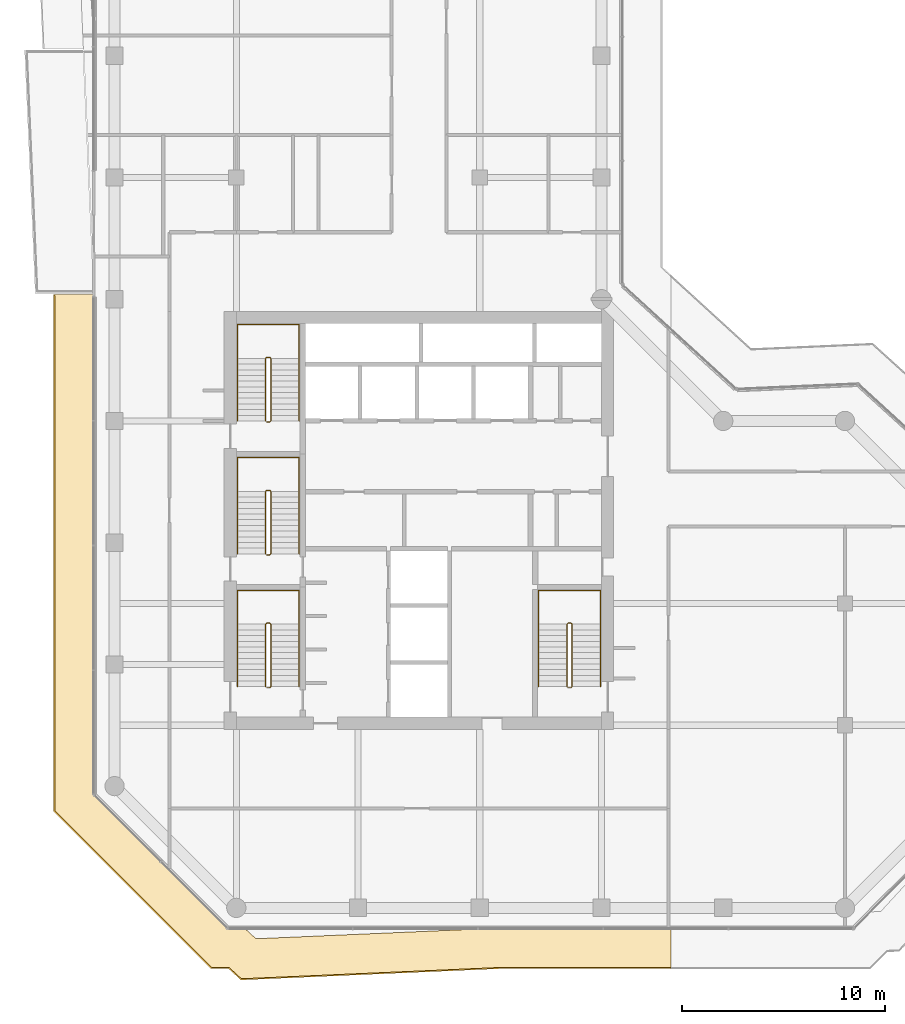
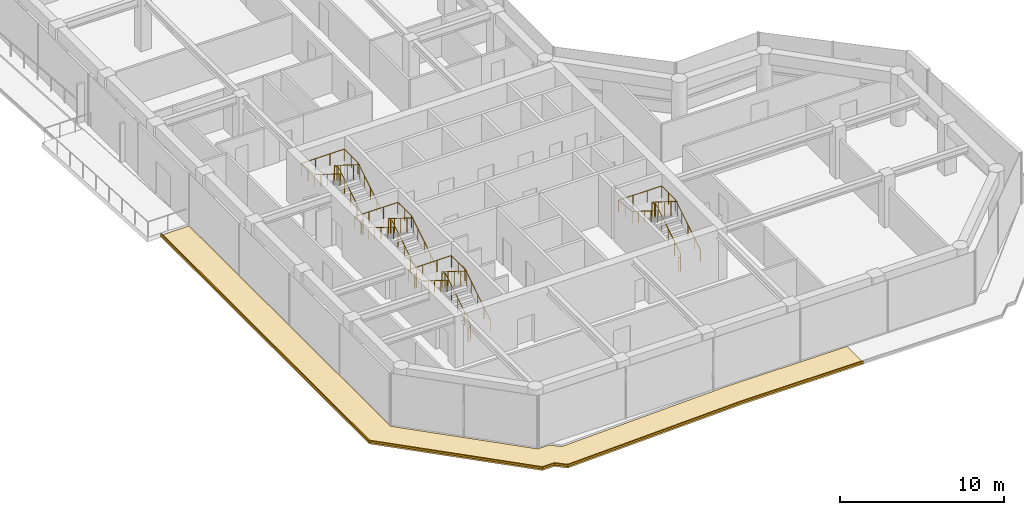
# One storey, part 20 of 21: 8 railings, 2 coverings.
"""IFC4 building model written with IfcOpenShell, lengths in metres."""

from ifc_helpers import new_model, si_unit, direction, frame, origin, origin_2d, place, context, subcontext, project, spatial, polyline, circle, outline, extrude, material, layer, layer_set, type_object, element, save


model = new_model("IFC4")

# Units and contexts
model_context = context("Model", 3, precision=1e-05, world=origin(), true_north=direction((0.0, 1.0)))
body_context = subcontext(model_context, "Body", "Model", "MODEL_VIEW")
ifc_project = project(units=[si_unit("LENGTHUNIT", "METRE"), si_unit("AREAUNIT", "SQUARE_METRE"), si_unit("VOLUMEUNIT", "CUBIC_METRE"), si_unit("PLANEANGLEUNIT", "RADIAN"), si_unit("MASSUNIT", "GRAM", prefix="KILO")], contexts=[model_context])

# Site, building, storey
site_placement = place(None, origin())
site = spatial("IfcSite", under=ifc_project, at=site_placement, CompositionType="ELEMENT")
building_placement = place(site_placement, origin())
building = spatial("IfcBuilding", under=site, at=building_placement, Name="Welwitschia Terrace Campus", CompositionType="ELEMENT")
storey_placement = place(building_placement, frame((0.0, 0.0, 180.199951171875)))
storey = spatial("IfcBuildingStorey", under=building, at=storey_placement, Name="L40", CompositionType="ELEMENT", Elevation=180.199951171875)

# Railings
ifc_material_1 = material(Name="Steel S355", Category="steel")
railing_type_1 = type_object("IfcRailingType", Name="Stair guard 1100", PredefinedType="GUARDRAIL", material=ifc_material_1)
railing_1_placement = place(storey_placement, frame((7.5, 6.85009765625, 0.0)))
element("IfcRailing", 1, at=railing_1_placement, inside=storey, type_object=railing_type_1, Name="L40 S1 stair guard", PredefinedType="GUARDRAIL", context=body_context, shape_type="SweptSolid", body=[
    extrude(circle(Radius=0.02392578125, at=origin_2d()), frame((0.0, 0.0, 1.076171875), z_axis=(1.0, 0.0, 0.0), x_axis=(0.0, 1.0, 0.0)), (0.0, 0.0, 1.0), 0.14990234375),
    extrude(circle(Radius=0.02392578125, at=origin_2d()), frame((0.14990234375, 0.0, 1.076171875), z_axis=(0.265155923931, 0.263862480399, 0.927399011991), x_axis=(-0.705375805398, 0.708833529934, 0.0)), (0.0, 0.0, 1.0), 0.188720703125),
    extrude(circle(Radius=0.02392578125, at=origin_2d()), frame((0.199951171875, 0.0498046875, 1.2509765625), z_axis=(0.0, 0.847998304005, 0.529998940003), x_axis=(-1.0, 0.0, 0.0)), (0.0, 0.0, 1.0), 3.632080078125),
    extrude(circle(Radius=0.02392578125, at=origin_2d()), frame((0.199951171875, 3.1298828125, 3.17626953125), z_axis=(-0.707106781187, 0.707106781187, 0.0), x_axis=(-0.707106781187, -0.707106781187, 0.0)), (0.0, 0.0, 1.0), 0.07080078125),
    extrude(circle(Radius=0.02392578125, at=origin_2d()), frame((0.14990234375, 3.179931640625, 3.17626953125), z_axis=(-1.0, 0.0, 0.0), x_axis=(0.0, -1.0, 0.0)), (0.0, 0.0, 1.0), 0.14990234375),
    extrude(circle(Radius=0.02392578125, at=origin_2d()), frame((0.0, 3.179931640625, 3.17626953125), z_axis=(-0.265065253269, -0.265065253269, 0.927081885822), x_axis=(0.707106781187, -0.707106781187, 0.0)), (0.0, 0.0, 1.0), 0.188720703125),
    extrude(circle(Radius=0.02392578125, at=origin_2d()), frame((-0.050048828125, 3.1298828125, 3.35107421875), z_axis=(0.0, -0.848028513186, 0.529950602248), x_axis=(1.0, 0.0, 0.0)), (0.0, 0.0, 1.0), 3.632080078125),
    extrude(circle(Radius=0.02099609375, at=origin_2d()), origin(), (0.0, 0.0, 1.0), 1.052001953125),
    extrude(circle(Radius=0.02099609375, at=origin_2d()), frame((0.14990234375, 0.0, 0.0)), (0.0, 0.0, 1.0), 1.052001953125),
    extrude(circle(Radius=0.02099609375, at=origin_2d()), frame((0.199951171875, 0.0498046875, 0.175048828125)), (0.0, 0.0, 1.0), 1.052001953125),
    extrude(circle(Radius=0.02099609375, at=origin_2d()), frame((0.199951171875, 0.81982421875, 0.65625)), (0.0, 0.0, 1.0), 1.052001953125),
    extrude(circle(Radius=0.02099609375, at=origin_2d()), frame((0.199951171875, 1.58984375, 1.1376953125)), (0.0, 0.0, 1.0), 1.052001953125),
    extrude(circle(Radius=0.02099609375, at=origin_2d()), frame((0.199951171875, 2.35986328125, 1.618896484375)), (0.0, 0.0, 1.0), 1.052001953125),
    extrude(circle(Radius=0.02099609375, at=origin_2d()), frame((0.199951171875, 3.1298828125, 2.10009765625)), (0.0, 0.0, 1.0), 1.052001953125),
    extrude(circle(Radius=0.02099609375, at=origin_2d()), frame((0.14990234375, 3.179931640625, 2.10009765625)), (0.0, 0.0, 1.0), 1.052001953125),
    extrude(circle(Radius=0.02099609375, at=origin_2d()), frame((0.0, 3.179931640625, 2.10009765625)), (0.0, 0.0, 1.0), 1.052001953125),
    extrude(circle(Radius=0.02099609375, at=origin_2d()), frame((-0.050048828125, 3.1298828125, 2.275146484375)), (0.0, 0.0, 1.0), 1.052001953125),
    extrude(circle(Radius=0.02099609375, at=origin_2d()), frame((-0.050048828125, 2.35986328125, 2.75634765625)), (0.0, 0.0, 1.0), 1.052001953125),
    extrude(circle(Radius=0.02099609375, at=origin_2d()), frame((-0.050048828125, 1.58984375, 3.237548828125)), (0.0, 0.0, 1.0), 1.052001953125),
    extrude(circle(Radius=0.02099609375, at=origin_2d()), frame((-0.050048828125, 0.81982421875, 3.71875)), (0.0, 0.0, 1.0), 1.052001953125),
    extrude(circle(Radius=0.02099609375, at=origin_2d()), frame((-0.050048828125, 0.0498046875, 4.199951171875)), (0.0, 0.0, 1.0), 1.052001953125),
])
railing_2_placement = place(storey_placement, frame((7.5, 13.39990234375, 0.0)))
element("IfcRailing", 2, at=railing_2_placement, inside=storey, type_object=railing_type_1, Name="L40 S3 stair guard", PredefinedType="GUARDRAIL", context=body_context, shape_type="SweptSolid", body=[
    extrude(circle(Radius=0.02392578125, at=origin_2d()), frame((0.0, 0.0, 1.076171875), z_axis=(1.0, 0.0, 0.0), x_axis=(0.0, 1.0, 0.0)), (0.0, 0.0, 1.0), 0.14990234375),
    extrude(circle(Radius=0.02392578125, at=origin_2d()), frame((0.14990234375, 0.0, 1.076171875), z_axis=(0.265065253269, 0.265065253269, 0.927081885822), x_axis=(-0.707106781187, 0.707106781187, 0.0)), (0.0, 0.0, 1.0), 0.188720703125),
    extrude(circle(Radius=0.02392578125, at=origin_2d()), frame((0.199951171875, 0.050048828125, 1.2509765625), z_axis=(0.0, 0.847998304005, 0.529998940003), x_axis=(-1.0, 0.0, 0.0)), (0.0, 0.0, 1.0), 3.632080078125),
    extrude(circle(Radius=0.02392578125, at=origin_2d()), frame((0.199951171875, 3.130126953125, 3.17626953125), z_axis=(-0.707106781187, 0.707106781187, 0.0), x_axis=(-0.707106781187, -0.707106781187, 0.0)), (0.0, 0.0, 1.0), 0.07080078125),
    extrude(circle(Radius=0.02392578125, at=origin_2d()), frame((0.14990234375, 3.18017578125, 3.17626953125), z_axis=(-1.0, 0.0, 0.0), x_axis=(0.0, -1.0, 0.0)), (0.0, 0.0, 1.0), 0.14990234375),
    extrude(circle(Radius=0.02392578125, at=origin_2d()), frame((0.0, 3.18017578125, 3.17626953125), z_axis=(-0.265065253269, -0.265065253269, 0.927081885822), x_axis=(0.707106781187, -0.707106781187, 0.0)), (0.0, 0.0, 1.0), 0.188720703125),
    extrude(circle(Radius=0.02392578125, at=origin_2d()), frame((-0.050048828125, 3.130126953125, 3.35107421875), z_axis=(0.0, -0.848028513186, 0.529950602248), x_axis=(1.0, 0.0, 0.0)), (0.0, 0.0, 1.0), 3.632080078125),
    extrude(circle(Radius=0.02099609375, at=origin_2d()), origin(), (0.0, 0.0, 1.0), 1.052001953125),
    extrude(circle(Radius=0.02099609375, at=origin_2d()), frame((0.14990234375, 0.0, 0.0)), (0.0, 0.0, 1.0), 1.052001953125),
    extrude(circle(Radius=0.02099609375, at=origin_2d()), frame((0.199951171875, 0.050048828125, 0.175048828125)), (0.0, 0.0, 1.0), 1.052001953125),
    extrude(circle(Radius=0.02099609375, at=origin_2d()), frame((0.199951171875, 0.820068359375, 0.65625)), (0.0, 0.0, 1.0), 1.052001953125),
    extrude(circle(Radius=0.02099609375, at=origin_2d()), frame((0.199951171875, 1.590087890625, 1.1376953125)), (0.0, 0.0, 1.0), 1.052001953125),
    extrude(circle(Radius=0.02099609375, at=origin_2d()), frame((0.199951171875, 2.360107421875, 1.618896484375)), (0.0, 0.0, 1.0), 1.052001953125),
    extrude(circle(Radius=0.02099609375, at=origin_2d()), frame((0.199951171875, 3.130126953125, 2.10009765625)), (0.0, 0.0, 1.0), 1.052001953125),
    extrude(circle(Radius=0.02099609375, at=origin_2d()), frame((0.14990234375, 3.18017578125, 2.10009765625)), (0.0, 0.0, 1.0), 1.052001953125),
    extrude(circle(Radius=0.02099609375, at=origin_2d()), frame((0.0, 3.18017578125, 2.10009765625)), (0.0, 0.0, 1.0), 1.052001953125),
    extrude(circle(Radius=0.02099609375, at=origin_2d()), frame((-0.050048828125, 3.130126953125, 2.275146484375)), (0.0, 0.0, 1.0), 1.052001953125),
    extrude(circle(Radius=0.02099609375, at=origin_2d()), frame((-0.050048828125, 2.360107421875, 2.75634765625)), (0.0, 0.0, 1.0), 1.052001953125),
    extrude(circle(Radius=0.02099609375, at=origin_2d()), frame((-0.050048828125, 1.590087890625, 3.237548828125)), (0.0, 0.0, 1.0), 1.052001953125),
    extrude(circle(Radius=0.02099609375, at=origin_2d()), frame((-0.050048828125, 0.820068359375, 3.71875)), (0.0, 0.0, 1.0), 1.052001953125),
    extrude(circle(Radius=0.02099609375, at=origin_2d()), frame((-0.050048828125, 0.050048828125, 4.199951171875)), (0.0, 0.0, 1.0), 1.052001953125),
])
railing_3_placement = place(storey_placement, frame((7.5, 19.949951171875, 0.0)))
element("IfcRailing", 3, at=railing_3_placement, inside=storey, type_object=railing_type_1, Name="L40 S4 stair guard", PredefinedType="GUARDRAIL", context=body_context, shape_type="SweptSolid", body=[
    extrude(circle(Radius=0.02392578125, at=origin_2d()), frame((0.0, 0.0, 1.076171875), z_axis=(1.0, 0.0, 0.0), x_axis=(0.0, 1.0, 0.0)), (0.0, 0.0, 1.0), 0.14990234375),
    extrude(circle(Radius=0.02392578125, at=origin_2d()), frame((0.14990234375, 0.0, 1.076171875), z_axis=(0.265065253269, 0.265065253269, 0.927081885822), x_axis=(-0.707106781187, 0.707106781187, 0.0)), (0.0, 0.0, 1.0), 0.188720703125),
    extrude(circle(Radius=0.02392578125, at=origin_2d()), frame((0.199951171875, 0.050048828125, 1.2509765625), z_axis=(0.0, 0.847998304005, 0.529998940003), x_axis=(-1.0, 0.0, 0.0)), (0.0, 0.0, 1.0), 3.632080078125),
    extrude(circle(Radius=0.02392578125, at=origin_2d()), frame((0.199951171875, 3.130126953125, 3.17626953125), z_axis=(-0.708833529934, 0.705375805398, 0.0), x_axis=(-0.705375805398, -0.708833529934, 0.0)), (0.0, 0.0, 1.0), 0.070556640625),
    extrude(circle(Radius=0.02392578125, at=origin_2d()), frame((0.14990234375, 3.179931640625, 3.17626953125), z_axis=(-1.0, 0.0, 0.0), x_axis=(0.0, -1.0, 0.0)), (0.0, 0.0, 1.0), 0.14990234375),
    extrude(circle(Radius=0.02392578125, at=origin_2d()), frame((0.0, 3.179931640625, 3.17626953125), z_axis=(-0.265155923931, -0.263862480399, 0.927399011991), x_axis=(0.705375805398, -0.708833529934, 0.0)), (0.0, 0.0, 1.0), 0.188720703125),
    extrude(circle(Radius=0.02392578125, at=origin_2d()), frame((-0.050048828125, 3.130126953125, 3.35107421875), z_axis=(0.0, -0.848028513186, 0.529950602248), x_axis=(1.0, 0.0, 0.0)), (0.0, 0.0, 1.0), 3.632080078125),
    extrude(circle(Radius=0.02099609375, at=origin_2d()), origin(), (0.0, 0.0, 1.0), 1.052001953125),
    extrude(circle(Radius=0.02099609375, at=origin_2d()), frame((0.14990234375, 0.0, 0.0)), (0.0, 0.0, 1.0), 1.052001953125),
    extrude(circle(Radius=0.02099609375, at=origin_2d()), frame((0.199951171875, 0.050048828125, 0.175048828125)), (0.0, 0.0, 1.0), 1.052001953125),
    extrude(circle(Radius=0.02099609375, at=origin_2d()), frame((0.199951171875, 0.820068359375, 0.65625)), (0.0, 0.0, 1.0), 1.052001953125),
    extrude(circle(Radius=0.02099609375, at=origin_2d()), frame((0.199951171875, 1.590087890625, 1.1376953125)), (0.0, 0.0, 1.0), 1.052001953125),
    extrude(circle(Radius=0.02099609375, at=origin_2d()), frame((0.199951171875, 2.360107421875, 1.618896484375)), (0.0, 0.0, 1.0), 1.052001953125),
    extrude(circle(Radius=0.02099609375, at=origin_2d()), frame((0.199951171875, 3.130126953125, 2.10009765625)), (0.0, 0.0, 1.0), 1.052001953125),
    extrude(circle(Radius=0.02099609375, at=origin_2d()), frame((0.14990234375, 3.179931640625, 2.10009765625)), (0.0, 0.0, 1.0), 1.052001953125),
    extrude(circle(Radius=0.02099609375, at=origin_2d()), frame((0.0, 3.179931640625, 2.10009765625)), (0.0, 0.0, 1.0), 1.052001953125),
    extrude(circle(Radius=0.02099609375, at=origin_2d()), frame((-0.050048828125, 3.130126953125, 2.275146484375)), (0.0, 0.0, 1.0), 1.052001953125),
    extrude(circle(Radius=0.02099609375, at=origin_2d()), frame((-0.050048828125, 2.360107421875, 2.75634765625)), (0.0, 0.0, 1.0), 1.052001953125),
    extrude(circle(Radius=0.02099609375, at=origin_2d()), frame((-0.050048828125, 1.590087890625, 3.237548828125)), (0.0, 0.0, 1.0), 1.052001953125),
    extrude(circle(Radius=0.02099609375, at=origin_2d()), frame((-0.050048828125, 0.820068359375, 3.71875)), (0.0, 0.0, 1.0), 1.052001953125),
    extrude(circle(Radius=0.02099609375, at=origin_2d()), frame((-0.050048828125, 0.050048828125, 4.199951171875)), (0.0, 0.0, 1.0), 1.052001953125),
])
railing_4_placement = place(storey_placement, frame((22.35009765625, 6.85009765625, 0.0)))
element("IfcRailing", 4, at=railing_4_placement, inside=storey, type_object=railing_type_1, Name="L40 S2 stair guard", PredefinedType="GUARDRAIL", context=body_context, shape_type="SweptSolid", body=[
    extrude(circle(Radius=0.02392578125, at=origin_2d()), frame((0.0, 0.0, 1.076171875), z_axis=(1.0, 0.0, 0.0), x_axis=(0.0, 1.0, 0.0)), (0.0, 0.0, 1.0), 0.14990234375),
    extrude(circle(Radius=0.02392578125, at=origin_2d()), frame((0.14990234375, 0.0, 1.076171875), z_axis=(0.265155923931, 0.263862480399, 0.927399011991), x_axis=(-0.705375805398, 0.708833529934, 0.0)), (0.0, 0.0, 1.0), 0.188720703125),
    extrude(circle(Radius=0.02392578125, at=origin_2d()), frame((0.199951171875, 0.0498046875, 1.2509765625), z_axis=(0.0, 0.847998304005, 0.529998940003), x_axis=(-1.0, 0.0, 0.0)), (0.0, 0.0, 1.0), 3.632080078125),
    extrude(circle(Radius=0.02392578125, at=origin_2d()), frame((0.199951171875, 3.1298828125, 3.17626953125), z_axis=(-0.707106781187, 0.707106781187, 0.0), x_axis=(-0.707106781187, -0.707106781187, 0.0)), (0.0, 0.0, 1.0), 0.07080078125),
    extrude(circle(Radius=0.02392578125, at=origin_2d()), frame((0.14990234375, 3.179931640625, 3.17626953125), z_axis=(-1.0, 0.0, 0.0), x_axis=(0.0, -1.0, 0.0)), (0.0, 0.0, 1.0), 0.14990234375),
    extrude(circle(Radius=0.02392578125, at=origin_2d()), frame((0.0, 3.179931640625, 3.17626953125), z_axis=(-0.265065253269, -0.265065253269, 0.927081885822), x_axis=(0.707106781187, -0.707106781187, 0.0)), (0.0, 0.0, 1.0), 0.188720703125),
    extrude(circle(Radius=0.02392578125, at=origin_2d()), frame((-0.050048828125, 3.1298828125, 3.35107421875), z_axis=(0.0, -0.848028513186, 0.529950602248), x_axis=(1.0, 0.0, 0.0)), (0.0, 0.0, 1.0), 3.632080078125),
    extrude(circle(Radius=0.02099609375, at=origin_2d()), origin(), (0.0, 0.0, 1.0), 1.052001953125),
    extrude(circle(Radius=0.02099609375, at=origin_2d()), frame((0.14990234375, 0.0, 0.0)), (0.0, 0.0, 1.0), 1.052001953125),
    extrude(circle(Radius=0.02099609375, at=origin_2d()), frame((0.199951171875, 0.0498046875, 0.175048828125)), (0.0, 0.0, 1.0), 1.052001953125),
    extrude(circle(Radius=0.02099609375, at=origin_2d()), frame((0.199951171875, 0.81982421875, 0.65625)), (0.0, 0.0, 1.0), 1.052001953125),
    extrude(circle(Radius=0.02099609375, at=origin_2d()), frame((0.199951171875, 1.58984375, 1.1376953125)), (0.0, 0.0, 1.0), 1.052001953125),
    extrude(circle(Radius=0.02099609375, at=origin_2d()), frame((0.199951171875, 2.35986328125, 1.618896484375)), (0.0, 0.0, 1.0), 1.052001953125),
    extrude(circle(Radius=0.02099609375, at=origin_2d()), frame((0.199951171875, 3.1298828125, 2.10009765625)), (0.0, 0.0, 1.0), 1.052001953125),
    extrude(circle(Radius=0.02099609375, at=origin_2d()), frame((0.14990234375, 3.179931640625, 2.10009765625)), (0.0, 0.0, 1.0), 1.052001953125),
    extrude(circle(Radius=0.02099609375, at=origin_2d()), frame((0.0, 3.179931640625, 2.10009765625)), (0.0, 0.0, 1.0), 1.052001953125),
    extrude(circle(Radius=0.02099609375, at=origin_2d()), frame((-0.050048828125, 3.1298828125, 2.275146484375)), (0.0, 0.0, 1.0), 1.052001953125),
    extrude(circle(Radius=0.02099609375, at=origin_2d()), frame((-0.050048828125, 2.35986328125, 2.75634765625)), (0.0, 0.0, 1.0), 1.052001953125),
    extrude(circle(Radius=0.02099609375, at=origin_2d()), frame((-0.050048828125, 1.58984375, 3.237548828125)), (0.0, 0.0, 1.0), 1.052001953125),
    extrude(circle(Radius=0.02099609375, at=origin_2d()), frame((-0.050048828125, 0.81982421875, 3.71875)), (0.0, 0.0, 1.0), 1.052001953125),
    extrude(circle(Radius=0.02099609375, at=origin_2d()), frame((-0.050048828125, 0.0498046875, 4.199951171875)), (0.0, 0.0, 1.0), 1.052001953125),
])
ifc_material_2 = material(Name="Steel S355", Category="steel")
railing_type_2 = type_object("IfcRailingType", Name="Stair handrail 900", PredefinedType="HANDRAIL", material=ifc_material_2)
railing_5_placement = place(storey_placement, frame((9.10009765625, 6.89990234375, 0.175048828125)))
element("IfcRailing", 5, at=railing_5_placement, inside=storey, type_object=railing_type_2, Name="L40 S1 stair handrail", PredefinedType="HANDRAIL", context=body_context, shape_type="SweptSolid", body=[
    extrude(circle(Radius=0.02392578125, at=origin_2d()), frame((0.0, 0.0, 0.8759765625), z_axis=(0.0, 0.847998304005, 0.529998940003), x_axis=(-1.0, 0.0, 0.0)), (0.0, 0.0, 1.0), 3.632080078125),
    extrude(circle(Radius=0.02392578125, at=origin_2d()), frame((0.0, 3.080078125, 2.80078125), z_axis=(0.0, 1.0, 0.0), x_axis=(-1.0, 0.0, 0.0)), (0.0, 0.0, 1.0), 1.669921875),
    extrude(circle(Radius=0.02392578125, at=origin_2d()), frame((0.0, 4.75, 2.80078125), z_axis=(-1.0, 0.0, 0.0), x_axis=(0.0, -1.0, 0.0)), (0.0, 0.0, 1.0), 3.050048828125),
    extrude(circle(Radius=0.02392578125, at=origin_2d()), frame((-3.050048828125, 4.75, 2.80078125), z_axis=(0.0, -0.99455077262, 0.104253348533), x_axis=(1.0, 0.0, 0.0)), (0.0, 0.0, 1.0), 1.678955078125),
    extrude(circle(Radius=0.02392578125, at=origin_2d()), frame((-3.050048828125, 3.080078125, 2.97607421875), z_axis=(0.0, -0.848028513186, 0.529950602248), x_axis=(1.0, 0.0, 0.0)), (0.0, 0.0, 1.0), 3.632080078125),
    extrude(circle(Radius=0.02099609375, at=origin_2d()), origin(), (0.0, 0.0, 1.0), 0.851806640625),
    extrude(circle(Radius=0.02099609375, at=origin_2d()), frame((0.0, 0.77001953125, 0.481201171875)), (0.0, 0.0, 1.0), 0.851806640625),
    extrude(circle(Radius=0.02099609375, at=origin_2d()), frame((0.0, 1.5400390625, 0.96240234375)), (0.0, 0.0, 1.0), 0.851806640625),
    extrude(circle(Radius=0.02099609375, at=origin_2d()), frame((0.0, 2.31005859375, 1.44384765625)), (0.0, 0.0, 1.0), 0.851806640625),
    extrude(circle(Radius=0.02099609375, at=origin_2d()), frame((0.0, 3.080078125, 1.925048828125)), (0.0, 0.0, 1.0), 0.851806640625),
    extrude(circle(Radius=0.02099609375, at=origin_2d()), frame((0.0, 3.9150390625, 1.925048828125)), (0.0, 0.0, 1.0), 0.851806640625),
    extrude(circle(Radius=0.02099609375, at=origin_2d()), frame((0.0, 4.75, 1.925048828125)), (0.0, 0.0, 1.0), 0.851806640625),
    extrude(circle(Radius=0.02099609375, at=origin_2d()), frame((-1.0166015625, 4.75, 1.925048828125)), (0.0, 0.0, 1.0), 0.851806640625),
    extrude(circle(Radius=0.02099609375, at=origin_2d()), frame((-2.033447265625, 4.75, 1.925048828125)), (0.0, 0.0, 1.0), 0.851806640625),
    extrude(circle(Radius=0.02099609375, at=origin_2d()), frame((-3.050048828125, 4.75, 1.925048828125)), (0.0, 0.0, 1.0), 0.851806640625),
    extrude(circle(Radius=0.02099609375, at=origin_2d()), frame((-3.050048828125, 3.9150390625, 2.0126953125)), (0.0, 0.0, 1.0), 0.851806640625),
    extrude(circle(Radius=0.02099609375, at=origin_2d()), frame((-3.050048828125, 3.080078125, 2.10009765625)), (0.0, 0.0, 1.0), 0.851806640625),
    extrude(circle(Radius=0.02099609375, at=origin_2d()), frame((-3.050048828125, 2.31005859375, 2.581298828125)), (0.0, 0.0, 1.0), 0.851806640625),
    extrude(circle(Radius=0.02099609375, at=origin_2d()), frame((-3.050048828125, 1.5400390625, 3.0625)), (0.0, 0.0, 1.0), 0.851806640625),
    extrude(circle(Radius=0.02099609375, at=origin_2d()), frame((-3.050048828125, 0.77001953125, 3.543701171875)), (0.0, 0.0, 1.0), 0.851806640625),
    extrude(circle(Radius=0.02099609375, at=origin_2d()), frame((-3.050048828125, 0.0, 4.02490234375)), (0.0, 0.0, 1.0), 0.851806640625),
])
railing_6_placement = place(storey_placement, frame((9.10009765625, 13.449951171875, 0.175048828125)))
element("IfcRailing", 6, at=railing_6_placement, inside=storey, type_object=railing_type_2, Name="L40 S3 stair handrail", PredefinedType="HANDRAIL", context=body_context, shape_type="SweptSolid", body=[
    extrude(circle(Radius=0.02392578125, at=origin_2d()), frame((0.0, 0.0, 0.8759765625), z_axis=(0.0, 0.847998304005, 0.529998940003), x_axis=(-1.0, 0.0, 0.0)), (0.0, 0.0, 1.0), 3.632080078125),
    extrude(circle(Radius=0.02392578125, at=origin_2d()), frame((0.0, 3.080078125, 2.80078125), z_axis=(0.0, 1.0, 0.0), x_axis=(-1.0, 0.0, 0.0)), (0.0, 0.0, 1.0), 1.669921875),
    extrude(circle(Radius=0.02392578125, at=origin_2d()), frame((0.0, 4.75, 2.80078125), z_axis=(-1.0, 0.0, 0.0), x_axis=(0.0, -1.0, 0.0)), (0.0, 0.0, 1.0), 3.050048828125),
    extrude(circle(Radius=0.02392578125, at=origin_2d()), frame((-3.050048828125, 4.75, 2.80078125), z_axis=(0.0, -0.99455077262, 0.104253348533), x_axis=(1.0, 0.0, 0.0)), (0.0, 0.0, 1.0), 1.678955078125),
    extrude(circle(Radius=0.02392578125, at=origin_2d()), frame((-3.050048828125, 3.080078125, 2.97607421875), z_axis=(0.0, -0.848028513186, 0.529950602248), x_axis=(1.0, 0.0, 0.0)), (0.0, 0.0, 1.0), 3.632080078125),
    extrude(circle(Radius=0.02099609375, at=origin_2d()), origin(), (0.0, 0.0, 1.0), 0.851806640625),
    extrude(circle(Radius=0.02099609375, at=origin_2d()), frame((0.0, 0.77001953125, 0.481201171875)), (0.0, 0.0, 1.0), 0.851806640625),
    extrude(circle(Radius=0.02099609375, at=origin_2d()), frame((0.0, 1.5400390625, 0.96240234375)), (0.0, 0.0, 1.0), 0.851806640625),
    extrude(circle(Radius=0.02099609375, at=origin_2d()), frame((0.0, 2.31005859375, 1.44384765625)), (0.0, 0.0, 1.0), 0.851806640625),
    extrude(circle(Radius=0.02099609375, at=origin_2d()), frame((0.0, 3.080078125, 1.925048828125)), (0.0, 0.0, 1.0), 0.851806640625),
    extrude(circle(Radius=0.02099609375, at=origin_2d()), frame((0.0, 3.9150390625, 1.925048828125)), (0.0, 0.0, 1.0), 0.851806640625),
    extrude(circle(Radius=0.02099609375, at=origin_2d()), frame((0.0, 4.75, 1.925048828125)), (0.0, 0.0, 1.0), 0.851806640625),
    extrude(circle(Radius=0.02099609375, at=origin_2d()), frame((-1.0166015625, 4.75, 1.925048828125)), (0.0, 0.0, 1.0), 0.851806640625),
    extrude(circle(Radius=0.02099609375, at=origin_2d()), frame((-2.033447265625, 4.75, 1.925048828125)), (0.0, 0.0, 1.0), 0.851806640625),
    extrude(circle(Radius=0.02099609375, at=origin_2d()), frame((-3.050048828125, 4.75, 1.925048828125)), (0.0, 0.0, 1.0), 0.851806640625),
    extrude(circle(Radius=0.02099609375, at=origin_2d()), frame((-3.050048828125, 3.9150390625, 2.0126953125)), (0.0, 0.0, 1.0), 0.851806640625),
    extrude(circle(Radius=0.02099609375, at=origin_2d()), frame((-3.050048828125, 3.080078125, 2.10009765625)), (0.0, 0.0, 1.0), 0.851806640625),
    extrude(circle(Radius=0.02099609375, at=origin_2d()), frame((-3.050048828125, 2.31005859375, 2.581298828125)), (0.0, 0.0, 1.0), 0.851806640625),
    extrude(circle(Radius=0.02099609375, at=origin_2d()), frame((-3.050048828125, 1.5400390625, 3.0625)), (0.0, 0.0, 1.0), 0.851806640625),
    extrude(circle(Radius=0.02099609375, at=origin_2d()), frame((-3.050048828125, 0.77001953125, 3.543701171875)), (0.0, 0.0, 1.0), 0.851806640625),
    extrude(circle(Radius=0.02099609375, at=origin_2d()), frame((-3.050048828125, 0.0, 4.02490234375)), (0.0, 0.0, 1.0), 0.851806640625),
])
railing_7_placement = place(storey_placement, frame((9.10009765625, 20.0, 0.175048828125)))
element("IfcRailing", 7, at=railing_7_placement, inside=storey, type_object=railing_type_2, Name="L40 S4 stair handrail", PredefinedType="HANDRAIL", context=body_context, shape_type="SweptSolid", body=[
    extrude(circle(Radius=0.02392578125, at=origin_2d()), frame((0.0, 0.0, 0.8759765625), z_axis=(0.0, 0.847998304005, 0.529998940003), x_axis=(-1.0, 0.0, 0.0)), (0.0, 0.0, 1.0), 3.632080078125),
    extrude(circle(Radius=0.02392578125, at=origin_2d()), frame((0.0, 3.080078125, 2.80078125), z_axis=(0.0, 1.0, 0.0), x_axis=(-1.0, 0.0, 0.0)), (0.0, 0.0, 1.0), 1.669921875),
    extrude(circle(Radius=0.02392578125, at=origin_2d()), frame((0.0, 4.75, 2.80078125), z_axis=(-1.0, 0.0, 0.0), x_axis=(0.0, -1.0, 0.0)), (0.0, 0.0, 1.0), 3.050048828125),
    extrude(circle(Radius=0.02392578125, at=origin_2d()), frame((-3.050048828125, 4.75, 2.80078125), z_axis=(0.0, -0.99455077262, 0.104253348533), x_axis=(1.0, 0.0, 0.0)), (0.0, 0.0, 1.0), 1.678955078125),
    extrude(circle(Radius=0.02392578125, at=origin_2d()), frame((-3.050048828125, 3.080078125, 2.97607421875), z_axis=(0.0, -0.848028513186, 0.529950602248), x_axis=(1.0, 0.0, 0.0)), (0.0, 0.0, 1.0), 3.632080078125),
    extrude(circle(Radius=0.02099609375, at=origin_2d()), origin(), (0.0, 0.0, 1.0), 0.851806640625),
    extrude(circle(Radius=0.02099609375, at=origin_2d()), frame((0.0, 0.77001953125, 0.481201171875)), (0.0, 0.0, 1.0), 0.851806640625),
    extrude(circle(Radius=0.02099609375, at=origin_2d()), frame((0.0, 1.5400390625, 0.96240234375)), (0.0, 0.0, 1.0), 0.851806640625),
    extrude(circle(Radius=0.02099609375, at=origin_2d()), frame((0.0, 2.31005859375, 1.44384765625)), (0.0, 0.0, 1.0), 0.851806640625),
    extrude(circle(Radius=0.02099609375, at=origin_2d()), frame((0.0, 3.080078125, 1.925048828125)), (0.0, 0.0, 1.0), 0.851806640625),
    extrude(circle(Radius=0.02099609375, at=origin_2d()), frame((0.0, 3.9150390625, 1.925048828125)), (0.0, 0.0, 1.0), 0.851806640625),
    extrude(circle(Radius=0.02099609375, at=origin_2d()), frame((0.0, 4.75, 1.925048828125)), (0.0, 0.0, 1.0), 0.851806640625),
    extrude(circle(Radius=0.02099609375, at=origin_2d()), frame((-1.0166015625, 4.75, 1.925048828125)), (0.0, 0.0, 1.0), 0.851806640625),
    extrude(circle(Radius=0.02099609375, at=origin_2d()), frame((-2.033447265625, 4.75, 1.925048828125)), (0.0, 0.0, 1.0), 0.851806640625),
    extrude(circle(Radius=0.02099609375, at=origin_2d()), frame((-3.050048828125, 4.75, 1.925048828125)), (0.0, 0.0, 1.0), 0.851806640625),
    extrude(circle(Radius=0.02099609375, at=origin_2d()), frame((-3.050048828125, 3.9150390625, 2.0126953125)), (0.0, 0.0, 1.0), 0.851806640625),
    extrude(circle(Radius=0.02099609375, at=origin_2d()), frame((-3.050048828125, 3.080078125, 2.10009765625)), (0.0, 0.0, 1.0), 0.851806640625),
    extrude(circle(Radius=0.02099609375, at=origin_2d()), frame((-3.050048828125, 2.31005859375, 2.581298828125)), (0.0, 0.0, 1.0), 0.851806640625),
    extrude(circle(Radius=0.02099609375, at=origin_2d()), frame((-3.050048828125, 1.5400390625, 3.0625)), (0.0, 0.0, 1.0), 0.851806640625),
    extrude(circle(Radius=0.02099609375, at=origin_2d()), frame((-3.050048828125, 0.77001953125, 3.543701171875)), (0.0, 0.0, 1.0), 0.851806640625),
    extrude(circle(Radius=0.02099609375, at=origin_2d()), frame((-3.050048828125, 0.0, 4.02490234375)), (0.0, 0.0, 1.0), 0.851806640625),
])
railing_8_placement = place(storey_placement, frame((23.949951171875, 6.89990234375, 0.175048828125)))
element("IfcRailing", 8, at=railing_8_placement, inside=storey, type_object=railing_type_2, Name="L40 S2 stair handrail", PredefinedType="HANDRAIL", context=body_context, shape_type="SweptSolid", body=[
    extrude(circle(Radius=0.02392578125, at=origin_2d()), frame((0.0, 0.0, 0.8759765625), z_axis=(0.0, 0.847998304005, 0.529998940003), x_axis=(-1.0, 0.0, 0.0)), (0.0, 0.0, 1.0), 3.632080078125),
    extrude(circle(Radius=0.02392578125, at=origin_2d()), frame((0.0, 3.080078125, 2.80078125), z_axis=(0.0, 1.0, 0.0), x_axis=(-1.0, 0.0, 0.0)), (0.0, 0.0, 1.0), 1.669921875),
    extrude(circle(Radius=0.02392578125, at=origin_2d()), frame((0.0, 4.75, 2.80078125), z_axis=(-1.0, 0.0, 0.0), x_axis=(0.0, -1.0, 0.0)), (0.0, 0.0, 1.0), 3.050048828125),
    extrude(circle(Radius=0.02392578125, at=origin_2d()), frame((-3.050048828125, 4.75, 2.80078125), z_axis=(0.0, -0.99455077262, 0.104253348533), x_axis=(1.0, 0.0, 0.0)), (0.0, 0.0, 1.0), 1.678955078125),
    extrude(circle(Radius=0.02392578125, at=origin_2d()), frame((-3.050048828125, 3.080078125, 2.97607421875), z_axis=(0.0, -0.848028513186, 0.529950602248), x_axis=(1.0, 0.0, 0.0)), (0.0, 0.0, 1.0), 3.632080078125),
    extrude(circle(Radius=0.02099609375, at=origin_2d()), origin(), (0.0, 0.0, 1.0), 0.851806640625),
    extrude(circle(Radius=0.02099609375, at=origin_2d()), frame((0.0, 0.77001953125, 0.481201171875)), (0.0, 0.0, 1.0), 0.851806640625),
    extrude(circle(Radius=0.02099609375, at=origin_2d()), frame((0.0, 1.5400390625, 0.96240234375)), (0.0, 0.0, 1.0), 0.851806640625),
    extrude(circle(Radius=0.02099609375, at=origin_2d()), frame((0.0, 2.31005859375, 1.44384765625)), (0.0, 0.0, 1.0), 0.851806640625),
    extrude(circle(Radius=0.02099609375, at=origin_2d()), frame((0.0, 3.080078125, 1.925048828125)), (0.0, 0.0, 1.0), 0.851806640625),
    extrude(circle(Radius=0.02099609375, at=origin_2d()), frame((0.0, 3.9150390625, 1.925048828125)), (0.0, 0.0, 1.0), 0.851806640625),
    extrude(circle(Radius=0.02099609375, at=origin_2d()), frame((0.0, 4.75, 1.925048828125)), (0.0, 0.0, 1.0), 0.851806640625),
    extrude(circle(Radius=0.02099609375, at=origin_2d()), frame((-1.0166015625, 4.75, 1.925048828125)), (0.0, 0.0, 1.0), 0.851806640625),
    extrude(circle(Radius=0.02099609375, at=origin_2d()), frame((-2.033447265625, 4.75, 1.925048828125)), (0.0, 0.0, 1.0), 0.851806640625),
    extrude(circle(Radius=0.02099609375, at=origin_2d()), frame((-3.050048828125, 4.75, 1.925048828125)), (0.0, 0.0, 1.0), 0.851806640625),
    extrude(circle(Radius=0.02099609375, at=origin_2d()), frame((-3.050048828125, 3.9150390625, 2.0126953125)), (0.0, 0.0, 1.0), 0.851806640625),
    extrude(circle(Radius=0.02099609375, at=origin_2d()), frame((-3.050048828125, 3.080078125, 2.10009765625)), (0.0, 0.0, 1.0), 0.851806640625),
    extrude(circle(Radius=0.02099609375, at=origin_2d()), frame((-3.050048828125, 2.31005859375, 2.581298828125)), (0.0, 0.0, 1.0), 0.851806640625),
    extrude(circle(Radius=0.02099609375, at=origin_2d()), frame((-3.050048828125, 1.5400390625, 3.0625)), (0.0, 0.0, 1.0), 0.851806640625),
    extrude(circle(Radius=0.02099609375, at=origin_2d()), frame((-3.050048828125, 0.77001953125, 3.543701171875)), (0.0, 0.0, 1.0), 0.851806640625),
    extrude(circle(Radius=0.02099609375, at=origin_2d()), frame((-3.050048828125, 0.0, 4.02490234375)), (0.0, 0.0, 1.0), 0.851806640625),
])

# Coverings
ifc_material_3 = material(Name="Bronze anodised aluminium", Category="aluminium")
ifc_layer_1 = layer(ifc_material_3, 0.1201171875)
ifc_layer_set_1 = layer_set([ifc_layer_1], Name="Bronze anodised aluminium")
covering_type_1 = type_object("IfcCoveringType", Name="Sunshade band 2000", PredefinedType="USERDEFINED", material=ifc_layer_set_1)
covering_1_placement = place(storey_placement, frame((0.0, 0.0, -0.25)))
element("IfcCovering", 9, at=covering_1_placement, inside=storey, type_object=covering_type_1, Name="SUNSHADE L40.SW1", ObjectType="SUNSHADE", PredefinedType="USERDEFINED", context=body_context, shape_type="SweptSolid", body=[
    extrude(outline(polyline([(18.944091796875, -7.0), (6.229248046875, -7.55517578125), (5.623291015625, -7.0), (4.75732421875, -7.0), (-3.0, 0.75732421875), (-3.0, 25.986328125), (-3.01123046875, 26.242919921875), (-1.00927734375, 26.242919921875), (-1.0, 1.585693359375), (5.585693359375, -5.0), (6.401123046875, -5.0), (6.969482421875, -5.52099609375), (18.900390625, -5.0), (27.424072265625, -5.0), (27.424072265625, -7.0), (18.944091796875, -7.0)])), origin(), (0.0, 0.0, 1.0), 0.1201171875),
])
ifc_material_4 = material(Name="Bronze anodised aluminium", Category="aluminium")
ifc_layer_2 = layer(ifc_material_4, 0.06005859375)
ifc_layer_set_2 = layer_set([ifc_layer_2], Name="Bronze anodised aluminium")
covering_type_2 = type_object("IfcCoveringType", Name="Sunshade lip 60", PredefinedType="USERDEFINED", material=ifc_layer_set_2)
covering_2_placement = place(storey_placement, frame((0.0, 0.0, -0.1298828125)))
element("IfcCovering", 10, at=covering_2_placement, inside=storey, type_object=covering_type_2, Name="SUNSHADE LIP L40.SW1.0", ObjectType="SUNSHADE", PredefinedType="USERDEFINED", context=body_context, shape_type="SweptSolid", body=[
    extrude(outline(polyline([(6.229248046875, -7.55517578125), (5.623291015625, -7.0), (4.75732421875, -7.0), (-3.0, 0.75732421875), (-3.0, 25.986328125), (-3.01123046875, 26.242919921875), (-2.951171875, 26.242919921875), (-2.93994140625, 25.987548828125), (-2.93994140625, 0.7822265625), (4.7822265625, -6.93994140625), (5.646728515625, -6.93994140625), (6.25146484375, -7.494140625), (18.942626953125, -6.93994140625), (27.424072265625, -6.93994140625), (27.424072265625, -7.0), (18.944091796875, -7.0), (6.229248046875, -7.55517578125)])), origin(), (0.0, 0.0, 1.0), 0.1298828125),
])

save(model, "model.ifc")
